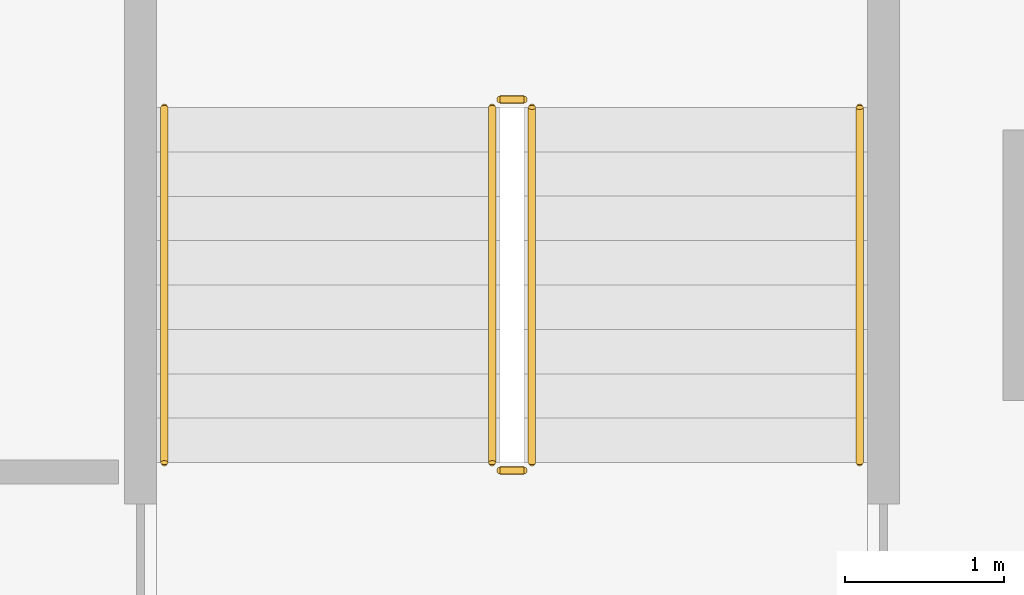
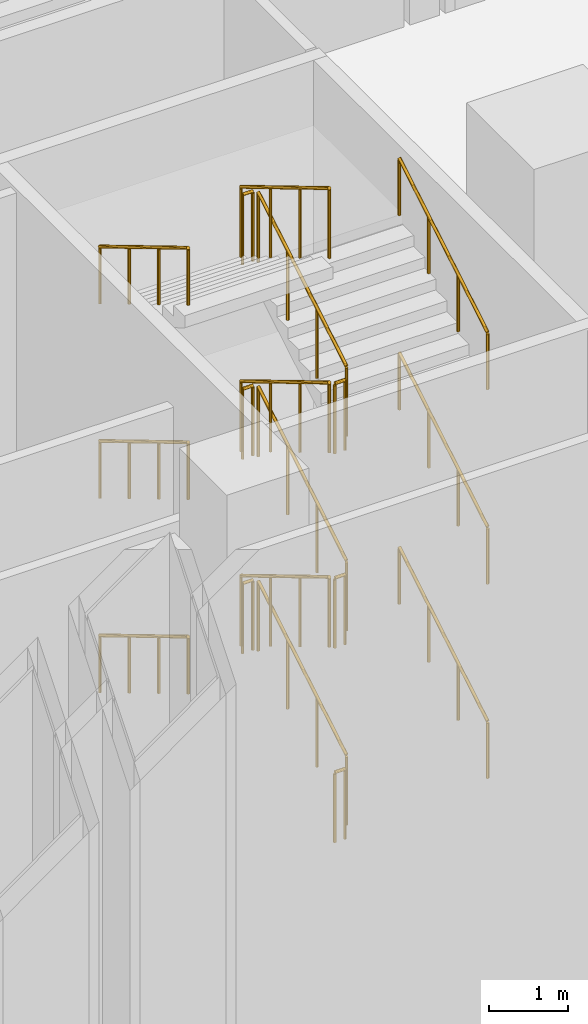
# One storey, part 38 of 51: 18 railings.
"""IFC4 building model written with IfcOpenShell, lengths in metres."""

from ifc_helpers import new_model, si_unit, direction, frame, origin, origin_2d, place, context, subcontext, project, spatial, circle, extrude, material, type_object, element, save


model = new_model("IFC4")

# Units and contexts
model_context = context("Model", 3, precision=1e-05, world=origin(), true_north=direction((0.0, 1.0)))
body_context = subcontext(model_context, "Body", "Model", "MODEL_VIEW")
ifc_project = project(units=[si_unit("LENGTHUNIT", "METRE"), si_unit("AREAUNIT", "SQUARE_METRE"), si_unit("VOLUMEUNIT", "CUBIC_METRE"), si_unit("PLANEANGLEUNIT", "RADIAN"), si_unit("MASSUNIT", "GRAM", prefix="KILO")], contexts=[model_context])

# Site, building, storey
site_placement = place(None, origin())
site = spatial("IfcSite", under=ifc_project, at=site_placement, CompositionType="ELEMENT")
building_placement = place(site_placement, origin())
building = spatial("IfcBuilding", under=site, at=building_placement, Name="Calabash Gate Tower", CompositionType="ELEMENT")
storey_placement = place(building_placement, origin())
storey = spatial("IfcBuildingStorey", under=building, at=storey_placement, Name="L00", CompositionType="ELEMENT", Elevation=0.0)

# Railings
ifc_material_1 = material(Name="Black powder-coated steel balusters", Category="steel")
railing_type_1 = type_object("IfcRailingType", Name="Stair guard RL1100", PredefinedType="GUARDRAIL", material=ifc_material_1)
railing_1_placement = place(storey_placement, frame((-35.81005859375, -9.239990234375, 0.166748046875)))
element("IfcRailing", 1, at=railing_1_placement, inside=storey, type_object=railing_type_1, Name="L00 PS3 stair guard 1", PredefinedType="GUARDRAIL", context=body_context, shape_type="SweptSolid", body=[
    extrude(circle(Radius=0.02392578125, at=origin_2d()), frame((0.0, 0.0, 1.076171875), z_axis=(0.0, 0.858493888361, 0.512823793955), x_axis=(-1.0, 0.0, 0.0)), (0.0, 0.0, 1.0), 2.599853515625),
    extrude(circle(Radius=0.02099609375, at=origin_2d()), origin(), (0.0, 0.0, 1.0), 1.052001953125),
    extrude(circle(Radius=0.02099609375, at=origin_2d()), frame((0.0, 0.743896484375, 0.4443359375)), (0.0, 0.0, 1.0), 1.052001953125),
    extrude(circle(Radius=0.02099609375, at=origin_2d()), frame((0.0, 1.488037109375, 0.888916015625)), (0.0, 0.0, 1.0), 1.052001953125),
    extrude(circle(Radius=0.02099609375, at=origin_2d()), frame((0.0, 2.23193359375, 1.333251953125)), (0.0, 0.0, 1.0), 1.052001953125),
])
railing_2_placement = place(storey_placement, frame((-35.860107421875, -6.9580078125, 1.5)))
element("IfcRailing", 2, at=railing_2_placement, inside=storey, type_object=railing_type_1, Name="L00 PS3 stair guard 2", PredefinedType="GUARDRAIL", context=body_context, shape_type="SweptSolid", body=[
    extrude(circle(Radius=0.02392578125, at=origin_2d()), frame((0.0, 0.0, 1.076171875), z_axis=(-1.0, 0.0, 0.0), x_axis=(0.0, -1.0, 0.0)), (0.0, 0.0, 1.0), 0.14990234375),
    extrude(circle(Radius=0.02099609375, at=origin_2d()), origin(), (0.0, 0.0, 1.0), 1.052001953125),
    extrude(circle(Radius=0.02099609375, at=origin_2d()), frame((-0.14990234375, 0.0, 0.0)), (0.0, 0.0, 1.0), 1.052001953125),
])
railing_3_placement = place(storey_placement, frame((-36.06005859375, -7.008056640625, 1.666748046875)))
element("IfcRailing", 3, at=railing_3_placement, inside=storey, type_object=railing_type_1, Name="L00 PS3 stair guard 3", PredefinedType="GUARDRAIL", context=body_context, shape_type="SweptSolid", body=[
    extrude(circle(Radius=0.02392578125, at=origin_2d()), frame((0.0, 0.0, 1.076171875), z_axis=(0.0, -0.858493888361, 0.512823793955), x_axis=(1.0, 0.0, 0.0)), (0.0, 0.0, 1.0), 2.599853515625),
    extrude(circle(Radius=0.02099609375, at=origin_2d()), origin(), (0.0, 0.0, 1.0), 1.052001953125),
    extrude(circle(Radius=0.02099609375, at=origin_2d()), frame((0.0, -0.743896484375, 0.4443359375)), (0.0, 0.0, 1.0), 1.052001953125),
    extrude(circle(Radius=0.02099609375, at=origin_2d()), frame((0.0, -1.488037109375, 0.888916015625)), (0.0, 0.0, 1.0), 1.052001953125),
    extrude(circle(Radius=0.02099609375, at=origin_2d()), frame((0.0, -2.23193359375, 1.333251953125)), (0.0, 0.0, 1.0), 1.052001953125),
])
railing_4_placement = place(storey_placement, frame((-35.860107421875, -9.2900390625, 3.0)))
element("IfcRailing", 4, at=railing_4_placement, inside=storey, type_object=railing_type_1, Name="L00 PS3 stair guard 4", PredefinedType="GUARDRAIL", context=body_context, shape_type="SweptSolid", body=[
    extrude(circle(Radius=0.02392578125, at=origin_2d()), frame((0.0, 0.0, 1.076171875), z_axis=(-1.0, 0.0, 0.0), x_axis=(0.0, -1.0, 0.0)), (0.0, 0.0, 1.0), 0.14990234375),
    extrude(circle(Radius=0.02099609375, at=origin_2d()), origin(), (0.0, 0.0, 1.0), 1.052001953125),
    extrude(circle(Radius=0.02099609375, at=origin_2d()), frame((-0.14990234375, 0.0, 0.0)), (0.0, 0.0, 1.0), 1.052001953125),
])
railing_5_placement = place(storey_placement, frame((-35.81005859375, -9.239990234375, 3.166748046875)))
element("IfcRailing", 5, at=railing_5_placement, inside=storey, type_object=railing_type_1, Name="L00 PS3 stair guard 5", PredefinedType="GUARDRAIL", context=body_context, shape_type="SweptSolid", body=[
    extrude(circle(Radius=0.02392578125, at=origin_2d()), frame((0.0, 0.0, 1.076171875), z_axis=(0.0, 0.858493888361, 0.512823793955), x_axis=(-1.0, 0.0, 0.0)), (0.0, 0.0, 1.0), 2.599853515625),
    extrude(circle(Radius=0.02099609375, at=origin_2d()), origin(), (0.0, 0.0, 1.0), 1.052001953125),
    extrude(circle(Radius=0.02099609375, at=origin_2d()), frame((0.0, 0.743896484375, 0.4443359375)), (0.0, 0.0, 1.0), 1.052001953125),
    extrude(circle(Radius=0.02099609375, at=origin_2d()), frame((0.0, 1.488037109375, 0.888916015625)), (0.0, 0.0, 1.0), 1.052001953125),
    extrude(circle(Radius=0.02099609375, at=origin_2d()), frame((0.0, 2.23193359375, 1.333251953125)), (0.0, 0.0, 1.0), 1.052001953125),
])
railing_6_placement = place(storey_placement, frame((-35.860107421875, -6.9580078125, 4.5)))
element("IfcRailing", 6, at=railing_6_placement, inside=storey, type_object=railing_type_1, Name="L00 PS3 stair guard 6", PredefinedType="GUARDRAIL", context=body_context, shape_type="SweptSolid", body=[
    extrude(circle(Radius=0.02392578125, at=origin_2d()), frame((0.0, 0.0, 1.076171875), z_axis=(-1.0, 0.0, 0.0), x_axis=(0.0, -1.0, 0.0)), (0.0, 0.0, 1.0), 0.14990234375),
    extrude(circle(Radius=0.02099609375, at=origin_2d()), origin(), (0.0, 0.0, 1.0), 1.052001953125),
    extrude(circle(Radius=0.02099609375, at=origin_2d()), frame((-0.14990234375, 0.0, 0.0)), (0.0, 0.0, 1.0), 1.052001953125),
])
railing_7_placement = place(storey_placement, frame((-36.06005859375, -7.008056640625, 4.666748046875)))
element("IfcRailing", 7, at=railing_7_placement, inside=storey, type_object=railing_type_1, Name="L00 PS3 stair guard 7", PredefinedType="GUARDRAIL", context=body_context, shape_type="SweptSolid", body=[
    extrude(circle(Radius=0.02392578125, at=origin_2d()), frame((0.0, 0.0, 1.076171875), z_axis=(0.0, -0.858493888361, 0.512823793955), x_axis=(1.0, 0.0, 0.0)), (0.0, 0.0, 1.0), 2.599853515625),
    extrude(circle(Radius=0.02099609375, at=origin_2d()), origin(), (0.0, 0.0, 1.0), 1.052001953125),
    extrude(circle(Radius=0.02099609375, at=origin_2d()), frame((0.0, -0.743896484375, 0.4443359375)), (0.0, 0.0, 1.0), 1.052001953125),
    extrude(circle(Radius=0.02099609375, at=origin_2d()), frame((0.0, -1.488037109375, 0.888916015625)), (0.0, 0.0, 1.0), 1.052001953125),
    extrude(circle(Radius=0.02099609375, at=origin_2d()), frame((0.0, -2.23193359375, 1.333251953125)), (0.0, 0.0, 1.0), 1.052001953125),
])
railing_8_placement = place(storey_placement, frame((-35.860107421875, -9.2900390625, 6.0)))
element("IfcRailing", 8, at=railing_8_placement, inside=storey, type_object=railing_type_1, Name="L00 PS3 stair guard 8", PredefinedType="GUARDRAIL", context=body_context, shape_type="SweptSolid", body=[
    extrude(circle(Radius=0.02392578125, at=origin_2d()), frame((0.0, 0.0, 1.076171875), z_axis=(-1.0, 0.0, 0.0), x_axis=(0.0, -1.0, 0.0)), (0.0, 0.0, 1.0), 0.14990234375),
    extrude(circle(Radius=0.02099609375, at=origin_2d()), origin(), (0.0, 0.0, 1.0), 1.052001953125),
    extrude(circle(Radius=0.02099609375, at=origin_2d()), frame((-0.14990234375, 0.0, 0.0)), (0.0, 0.0, 1.0), 1.052001953125),
])
railing_9_placement = place(storey_placement, frame((-35.81005859375, -9.239990234375, 6.166748046875)))
element("IfcRailing", 9, at=railing_9_placement, inside=storey, type_object=railing_type_1, Name="L00 PS3 stair guard 9", PredefinedType="GUARDRAIL", context=body_context, shape_type="SweptSolid", body=[
    extrude(circle(Radius=0.02392578125, at=origin_2d()), frame((0.0, 0.0, 1.076171875), z_axis=(0.0, 0.858493888361, 0.512823793955), x_axis=(-1.0, 0.0, 0.0)), (0.0, 0.0, 1.0), 2.599853515625),
    extrude(circle(Radius=0.02099609375, at=origin_2d()), origin(), (0.0, 0.0, 1.0), 1.052001953125),
    extrude(circle(Radius=0.02099609375, at=origin_2d()), frame((0.0, 0.743896484375, 0.4443359375)), (0.0, 0.0, 1.0), 1.052001953125),
    extrude(circle(Radius=0.02099609375, at=origin_2d()), frame((0.0, 1.488037109375, 0.888916015625)), (0.0, 0.0, 1.0), 1.052001953125),
    extrude(circle(Radius=0.02099609375, at=origin_2d()), frame((0.0, 2.23193359375, 1.333251953125)), (0.0, 0.0, 1.0), 1.052001953125),
])
railing_10_placement = place(storey_placement, frame((-35.860107421875, -6.9580078125, 7.5)))
element("IfcRailing", 10, at=railing_10_placement, inside=storey, type_object=railing_type_1, Name="L00 PS3 stair guard 10", PredefinedType="GUARDRAIL", context=body_context, shape_type="SweptSolid", body=[
    extrude(circle(Radius=0.02392578125, at=origin_2d()), frame((0.0, 0.0, 1.076171875), z_axis=(-1.0, 0.0, 0.0), x_axis=(0.0, -1.0, 0.0)), (0.0, 0.0, 1.0), 0.14990234375),
    extrude(circle(Radius=0.02099609375, at=origin_2d()), origin(), (0.0, 0.0, 1.0), 1.052001953125),
    extrude(circle(Radius=0.02099609375, at=origin_2d()), frame((-0.14990234375, 0.0, 0.0)), (0.0, 0.0, 1.0), 1.052001953125),
])
railing_11_placement = place(storey_placement, frame((-36.06005859375, -7.008056640625, 7.666748046875)))
element("IfcRailing", 11, at=railing_11_placement, inside=storey, type_object=railing_type_1, Name="L00 PS3 stair guard 11", PredefinedType="GUARDRAIL", context=body_context, shape_type="SweptSolid", body=[
    extrude(circle(Radius=0.02392578125, at=origin_2d()), frame((0.0, 0.0, 1.076171875), z_axis=(0.0, -0.858493888361, 0.512823793955), x_axis=(1.0, 0.0, 0.0)), (0.0, 0.0, 1.0), 2.599853515625),
    extrude(circle(Radius=0.02099609375, at=origin_2d()), origin(), (0.0, 0.0, 1.0), 1.052001953125),
    extrude(circle(Radius=0.02099609375, at=origin_2d()), frame((0.0, -0.743896484375, 0.4443359375)), (0.0, 0.0, 1.0), 1.052001953125),
    extrude(circle(Radius=0.02099609375, at=origin_2d()), frame((0.0, -1.488037109375, 0.888916015625)), (0.0, 0.0, 1.0), 1.052001953125),
    extrude(circle(Radius=0.02099609375, at=origin_2d()), frame((0.0, -2.23193359375, 1.333251953125)), (0.0, 0.0, 1.0), 1.052001953125),
])
railing_12_placement = place(storey_placement, frame((-35.860107421875, -9.2900390625, 0.0)))
element("IfcRailing", 12, at=railing_12_placement, inside=storey, type_object=railing_type_1, Name="L00 PS3 stair guard 12", PredefinedType="GUARDRAIL", context=body_context, shape_type="SweptSolid", body=[
    extrude(circle(Radius=0.02392578125, at=origin_2d()), frame((0.0, 0.0, 1.076171875), z_axis=(-1.0, 0.0, 0.0), x_axis=(0.0, -1.0, 0.0)), (0.0, 0.0, 1.0), 0.14990234375),
    extrude(circle(Radius=0.02099609375, at=origin_2d()), origin(), (0.0, 0.0, 1.0), 1.052001953125),
    extrude(circle(Radius=0.02099609375, at=origin_2d()), frame((-0.14990234375, 0.0, 0.0)), (0.0, 0.0, 1.0), 1.052001953125),
])
ifc_material_2 = material(Name="Black powder-coated steel tube 48 mm", Category="steel")
railing_type_2 = type_object("IfcRailingType", Name="Stair handrail RL900", PredefinedType="HANDRAIL", material=ifc_material_2)
railing_13_placement = place(storey_placement, frame((-33.75, -9.239990234375, 0.166748046875)))
element("IfcRailing", 13, at=railing_13_placement, inside=storey, type_object=railing_type_2, Name="L00 PS3 stair handrail 1", PredefinedType="HANDRAIL", context=body_context, shape_type="SweptSolid", body=[
    extrude(circle(Radius=0.02392578125, at=origin_2d()), frame((0.0, 0.0, 0.8759765625), z_axis=(0.0, 0.858493888361, 0.512823793955), x_axis=(-1.0, 0.0, 0.0)), (0.0, 0.0, 1.0), 2.599853515625),
    extrude(circle(Radius=0.02099609375, at=origin_2d()), origin(), (0.0, 0.0, 1.0), 0.851806640625),
    extrude(circle(Radius=0.02099609375, at=origin_2d()), frame((0.0, 0.743896484375, 0.4443359375)), (0.0, 0.0, 1.0), 0.851806640625),
    extrude(circle(Radius=0.02099609375, at=origin_2d()), frame((0.0, 1.488037109375, 0.888916015625)), (0.0, 0.0, 1.0), 0.851806640625),
    extrude(circle(Radius=0.02099609375, at=origin_2d()), frame((0.0, 2.23193359375, 1.333251953125)), (0.0, 0.0, 1.0), 0.851806640625),
])
railing_14_placement = place(storey_placement, frame((-38.1201171875, -7.008056640625, 1.666748046875)))
element("IfcRailing", 14, at=railing_14_placement, inside=storey, type_object=railing_type_2, Name="L00 PS3 stair handrail 2", PredefinedType="HANDRAIL", context=body_context, shape_type="SweptSolid", body=[
    extrude(circle(Radius=0.02392578125, at=origin_2d()), frame((0.0, 0.0, 0.8759765625), z_axis=(0.0, -0.858493888361, 0.512823793955), x_axis=(1.0, 0.0, 0.0)), (0.0, 0.0, 1.0), 2.599853515625),
    extrude(circle(Radius=0.02099609375, at=origin_2d()), origin(), (0.0, 0.0, 1.0), 0.851806640625),
    extrude(circle(Radius=0.02099609375, at=origin_2d()), frame((0.0, -0.743896484375, 0.4443359375)), (0.0, 0.0, 1.0), 0.851806640625),
    extrude(circle(Radius=0.02099609375, at=origin_2d()), frame((0.0, -1.488037109375, 0.888916015625)), (0.0, 0.0, 1.0), 0.851806640625),
    extrude(circle(Radius=0.02099609375, at=origin_2d()), frame((0.0, -2.23193359375, 1.333251953125)), (0.0, 0.0, 1.0), 0.851806640625),
])
railing_15_placement = place(storey_placement, frame((-33.75, -9.239990234375, 3.166748046875)))
element("IfcRailing", 15, at=railing_15_placement, inside=storey, type_object=railing_type_2, Name="L00 PS3 stair handrail 3", PredefinedType="HANDRAIL", context=body_context, shape_type="SweptSolid", body=[
    extrude(circle(Radius=0.02392578125, at=origin_2d()), frame((0.0, 0.0, 0.8759765625), z_axis=(0.0, 0.858493888361, 0.512823793955), x_axis=(-1.0, 0.0, 0.0)), (0.0, 0.0, 1.0), 2.599853515625),
    extrude(circle(Radius=0.02099609375, at=origin_2d()), origin(), (0.0, 0.0, 1.0), 0.851806640625),
    extrude(circle(Radius=0.02099609375, at=origin_2d()), frame((0.0, 0.743896484375, 0.4443359375)), (0.0, 0.0, 1.0), 0.851806640625),
    extrude(circle(Radius=0.02099609375, at=origin_2d()), frame((0.0, 1.488037109375, 0.888916015625)), (0.0, 0.0, 1.0), 0.851806640625),
    extrude(circle(Radius=0.02099609375, at=origin_2d()), frame((0.0, 2.23193359375, 1.333251953125)), (0.0, 0.0, 1.0), 0.851806640625),
])
railing_16_placement = place(storey_placement, frame((-38.1201171875, -7.008056640625, 4.666748046875)))
element("IfcRailing", 16, at=railing_16_placement, inside=storey, type_object=railing_type_2, Name="L00 PS3 stair handrail 4", PredefinedType="HANDRAIL", context=body_context, shape_type="SweptSolid", body=[
    extrude(circle(Radius=0.02392578125, at=origin_2d()), frame((0.0, 0.0, 0.8759765625), z_axis=(0.0, -0.858493888361, 0.512823793955), x_axis=(1.0, 0.0, 0.0)), (0.0, 0.0, 1.0), 2.599853515625),
    extrude(circle(Radius=0.02099609375, at=origin_2d()), origin(), (0.0, 0.0, 1.0), 0.851806640625),
    extrude(circle(Radius=0.02099609375, at=origin_2d()), frame((0.0, -0.743896484375, 0.4443359375)), (0.0, 0.0, 1.0), 0.851806640625),
    extrude(circle(Radius=0.02099609375, at=origin_2d()), frame((0.0, -1.488037109375, 0.888916015625)), (0.0, 0.0, 1.0), 0.851806640625),
    extrude(circle(Radius=0.02099609375, at=origin_2d()), frame((0.0, -2.23193359375, 1.333251953125)), (0.0, 0.0, 1.0), 0.851806640625),
])
railing_17_placement = place(storey_placement, frame((-33.75, -9.239990234375, 6.166748046875)))
element("IfcRailing", 17, at=railing_17_placement, inside=storey, type_object=railing_type_2, Name="L00 PS3 stair handrail 5", PredefinedType="HANDRAIL", context=body_context, shape_type="SweptSolid", body=[
    extrude(circle(Radius=0.02392578125, at=origin_2d()), frame((0.0, 0.0, 0.8759765625), z_axis=(0.0, 0.858493888361, 0.512823793955), x_axis=(-1.0, 0.0, 0.0)), (0.0, 0.0, 1.0), 2.599853515625),
    extrude(circle(Radius=0.02099609375, at=origin_2d()), origin(), (0.0, 0.0, 1.0), 0.851806640625),
    extrude(circle(Radius=0.02099609375, at=origin_2d()), frame((0.0, 0.743896484375, 0.4443359375)), (0.0, 0.0, 1.0), 0.851806640625),
    extrude(circle(Radius=0.02099609375, at=origin_2d()), frame((0.0, 1.488037109375, 0.888916015625)), (0.0, 0.0, 1.0), 0.851806640625),
    extrude(circle(Radius=0.02099609375, at=origin_2d()), frame((0.0, 2.23193359375, 1.333251953125)), (0.0, 0.0, 1.0), 0.851806640625),
])
railing_18_placement = place(storey_placement, frame((-38.1201171875, -7.008056640625, 7.666748046875)))
element("IfcRailing", 18, at=railing_18_placement, inside=storey, type_object=railing_type_2, Name="L00 PS3 stair handrail 6", PredefinedType="HANDRAIL", context=body_context, shape_type="SweptSolid", body=[
    extrude(circle(Radius=0.02392578125, at=origin_2d()), frame((0.0, 0.0, 0.8759765625), z_axis=(0.0, -0.858493888361, 0.512823793955), x_axis=(1.0, 0.0, 0.0)), (0.0, 0.0, 1.0), 2.599853515625),
    extrude(circle(Radius=0.02099609375, at=origin_2d()), origin(), (0.0, 0.0, 1.0), 0.851806640625),
    extrude(circle(Radius=0.02099609375, at=origin_2d()), frame((0.0, -0.743896484375, 0.4443359375)), (0.0, 0.0, 1.0), 0.851806640625),
    extrude(circle(Radius=0.02099609375, at=origin_2d()), frame((0.0, -1.488037109375, 0.888916015625)), (0.0, 0.0, 1.0), 0.851806640625),
    extrude(circle(Radius=0.02099609375, at=origin_2d()), frame((0.0, -2.23193359375, 1.333251953125)), (0.0, 0.0, 1.0), 0.851806640625),
])

save(model, "model.ifc")
